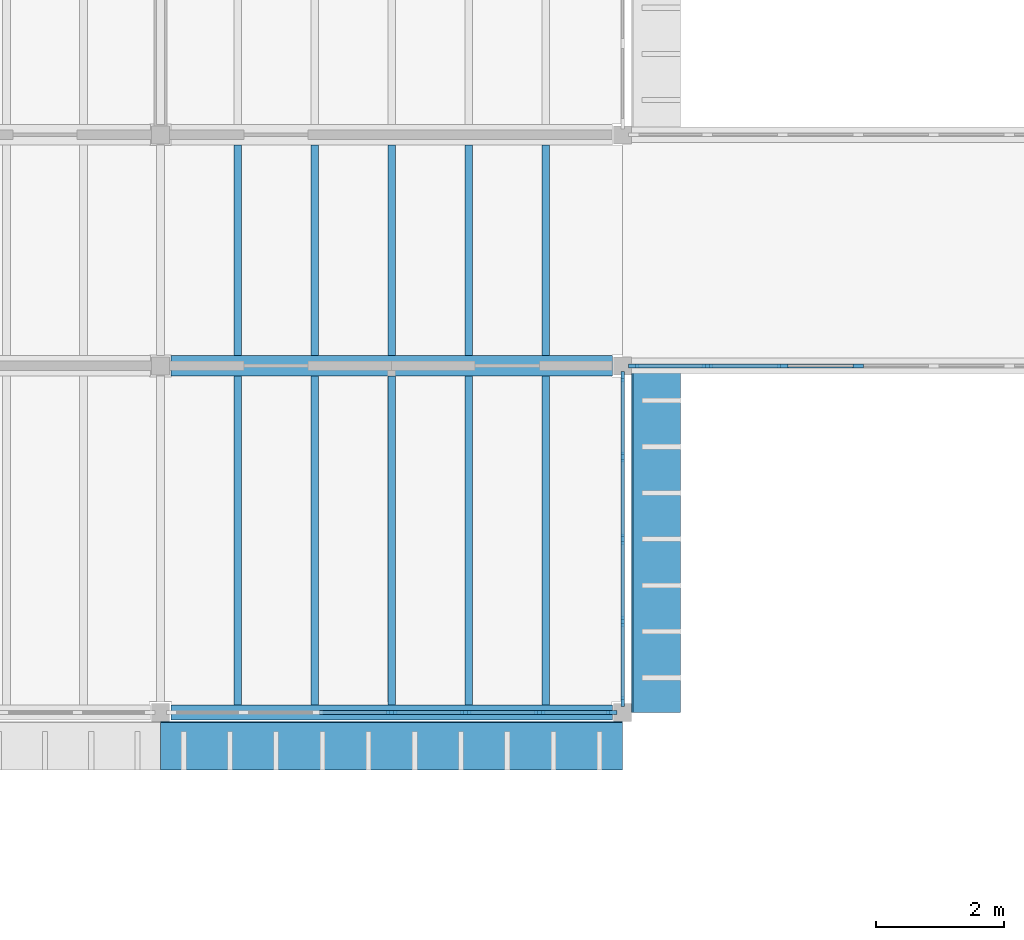
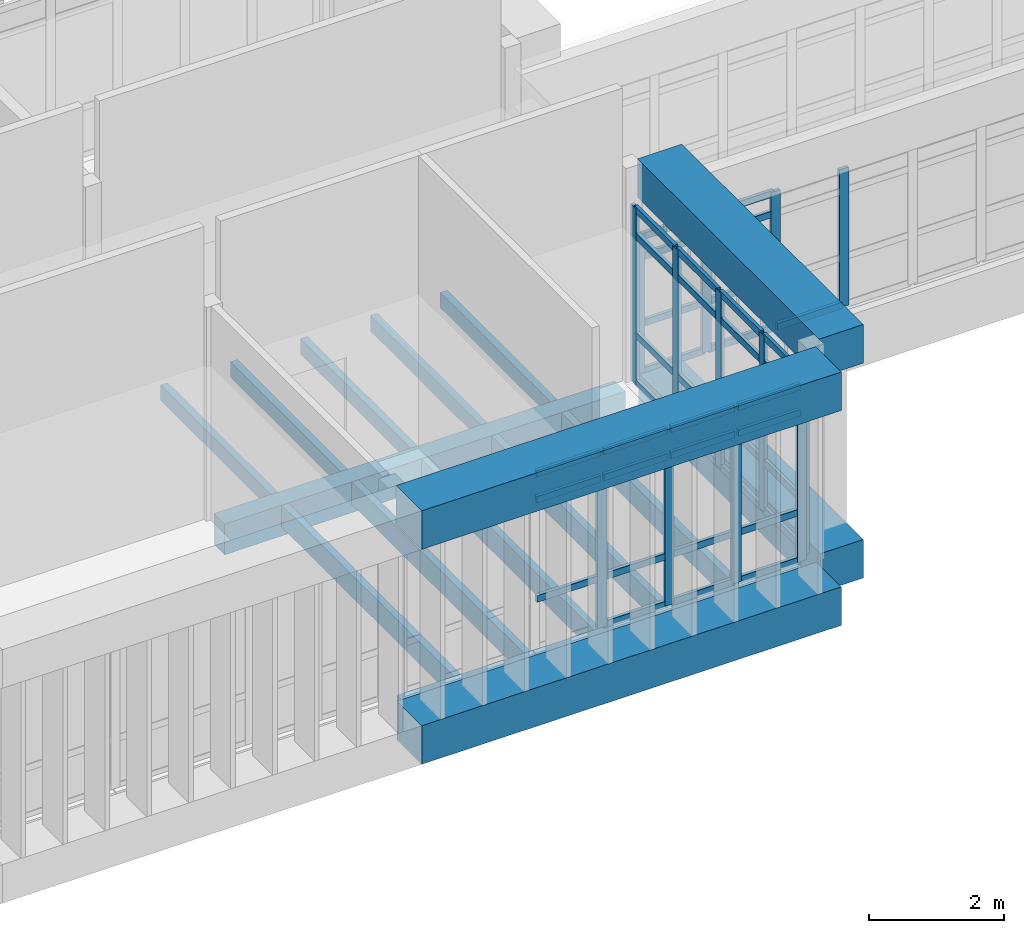
# One storey, part 7 of 51: 57 members, 12 beams, 3 elements without a shape of their own.
"""IFC4 building model written with IfcOpenShell, lengths in metres."""

from ifc_helpers import new_model, si_unit, direction, frame, origin, origin_2d, place, context, subcontext, project, spatial, rectangle, extrude, material, layer, layer_set, material_profile, profile_set, type_object, element, aggregate, save


model = new_model("IFC4")

# Units and contexts
model_context = context("Model", 3, precision=1e-05, world=origin(), true_north=direction((0.0, 1.0)))
body_context = subcontext(model_context, "Body", "Model", "MODEL_VIEW")
ifc_project = project(units=[si_unit("LENGTHUNIT", "METRE"), si_unit("AREAUNIT", "SQUARE_METRE"), si_unit("VOLUMEUNIT", "CUBIC_METRE"), si_unit("PLANEANGLEUNIT", "RADIAN"), si_unit("MASSUNIT", "GRAM", prefix="KILO")], contexts=[model_context])

# Site, building, storey
site_placement = place(None, origin())
site = spatial("IfcSite", under=ifc_project, at=site_placement, CompositionType="ELEMENT")
building_placement = place(site_placement, origin())
building = spatial("IfcBuilding", under=site, at=building_placement, Name="Mazhai Court Health Centre", CompositionType="ELEMENT")
storey_placement = place(building_placement, frame((0.0, 0.0, 14.10009765625)))
storey = spatial("IfcBuildingStorey", under=building, at=storey_placement, Name="L03", CompositionType="ELEMENT", Elevation=14.10009765625)

# Curtain wall, members
ifc_material_1 = material(Name="Teak timber frame, glazed", Category="wood")
ifc_layer = layer(ifc_material_1, 0.10009765625)
ifc_layer_set = layer_set([ifc_layer], Name="CURTAIN WALL TIMBER 1200")
curtain_wall_type = type_object("IfcCurtainWallType", Name="CURTAIN WALL TIMBER 1200", PredefinedType="NOTDEFINED", material=ifc_layer_set)
curtain_wall_1_placement = place(storey_placement, origin())
curtain_wall_1 = element("IfcCurtainWall", 1, at=curtain_wall_1_placement, inside=storey, type_object=curtain_wall_type, Name="CW-V4-L03-A2", PredefinedType="NOTDEFINED")
ifc_material_2 = material(Name="Teak timber", Category="wood")
ifc_material_profile_1 = material_profile(ifc_material_2, rectangle(XDim=0.06005859375, YDim=0.159912109375, at=origin_2d()), Name="CW MULLION 60x160")
ifc_profile_set_1 = profile_set([ifc_material_profile_1], Name="Teak timber")
member_type_1 = type_object("IfcMemberType", Name="CW MULLION 60x160", PredefinedType="MULLION", material=ifc_profile_set_1)
member_1_placement = place(storey_placement, frame((92.429931640625, 13.39990234375, 0.0), z_axis=(0.0, 0.0, 1.0), x_axis=(0.0, -1.0, 0.0)))
member_1 = element("IfcMember", 2, at=member_1_placement, type_object=member_type_1, Name="CW mullion 1", PredefinedType="MULLION", context=body_context, shape_type="SweptSolid", body=[
    extrude(rectangle(XDim=0.06005859375, YDim=0.159912109375, at=origin_2d()), origin(), (0.0, 0.0, 1.0), 3.199951171875),
])
member_2_placement = place(storey_placement, frame((91.306640625, 13.39990234375, 0.0), z_axis=(0.0, 0.0, 1.0), x_axis=(0.0, -1.0, 0.0)))
member_2 = element("IfcMember", 3, at=member_2_placement, type_object=member_type_1, Name="CW mullion 2", PredefinedType="MULLION", context=body_context, shape_type="SweptSolid", body=[
    extrude(rectangle(XDim=0.06005859375, YDim=0.159912109375, at=origin_2d()), origin(), (0.0, 0.0, 1.0), 3.199951171875),
])
member_3_placement = place(storey_placement, frame((90.1533203125, 13.39990234375, 0.0), z_axis=(0.0, 0.0, 1.0), x_axis=(0.0, -1.0, 0.0)))
member_3 = element("IfcMember", 4, at=member_3_placement, type_object=member_type_1, Name="CW mullion 3", PredefinedType="MULLION", context=body_context, shape_type="SweptSolid", body=[
    extrude(rectangle(XDim=0.06005859375, YDim=0.159912109375, at=origin_2d()), origin(), (0.0, 0.0, 1.0), 3.199951171875),
])
member_4_placement = place(storey_placement, frame((89.0, 13.39990234375, 0.0), z_axis=(0.0, 0.0, 1.0), x_axis=(0.0, -1.0, 0.0)))
member_4 = element("IfcMember", 5, at=member_4_placement, type_object=member_type_1, Name="CW mullion 4", PredefinedType="MULLION", context=body_context, shape_type="SweptSolid", body=[
    extrude(rectangle(XDim=0.06005859375, YDim=0.159912109375, at=origin_2d()), origin(), (0.0, 0.0, 1.0), 3.199951171875),
])

curtain_wall_2_placement = place(storey_placement, origin())
curtain_wall_2 = element("IfcCurtainWall", 6, at=curtain_wall_2_placement, inside=storey, type_object=curtain_wall_type, Name="CW-V4-L03-CE2-0", PredefinedType="NOTDEFINED")
member_5_placement = place(storey_placement, frame((92.60009765625, 18.6298828125, 0.0), z_axis=(0.0, 0.0, 1.0), x_axis=(1.0, 0.0, 0.0)))
member_5 = element("IfcMember", 7, at=member_5_placement, type_object=member_type_1, Name="CW mullion 1", PredefinedType="MULLION", context=body_context, shape_type="SweptSolid", body=[
    extrude(rectangle(XDim=0.06005859375, YDim=0.159912109375, at=origin_2d()), origin(), (0.0, 0.0, 1.0), 3.199951171875),
])
member_6_placement = place(storey_placement, frame((92.60009765625, 17.3798828125, 0.0), z_axis=(0.0, 0.0, 1.0), x_axis=(1.0, 0.0, 0.0)))
member_6 = element("IfcMember", 8, at=member_6_placement, type_object=member_type_1, Name="CW mullion 2", PredefinedType="MULLION", context=body_context, shape_type="SweptSolid", body=[
    extrude(rectangle(XDim=0.06005859375, YDim=0.159912109375, at=origin_2d()), origin(), (0.0, 0.0, 1.0), 3.199951171875),
])
member_7_placement = place(storey_placement, frame((92.60009765625, 16.10009765625, 0.0), z_axis=(0.0, 0.0, 1.0), x_axis=(1.0, 0.0, 0.0)))
member_7 = element("IfcMember", 9, at=member_7_placement, type_object=member_type_1, Name="CW mullion 3", PredefinedType="MULLION", context=body_context, shape_type="SweptSolid", body=[
    extrude(rectangle(XDim=0.06005859375, YDim=0.159912109375, at=origin_2d()), origin(), (0.0, 0.0, 1.0), 3.199951171875),
])
member_8_placement = place(storey_placement, frame((92.60009765625, 14.820068359375, 0.0), z_axis=(0.0, 0.0, 1.0), x_axis=(1.0, 0.0, 0.0)))
member_8 = element("IfcMember", 10, at=member_8_placement, type_object=member_type_1, Name="CW mullion 4", PredefinedType="MULLION", context=body_context, shape_type="SweptSolid", body=[
    extrude(rectangle(XDim=0.06005859375, YDim=0.159912109375, at=origin_2d()), origin(), (0.0, 0.0, 1.0), 3.199951171875),
])
member_9_placement = place(storey_placement, frame((92.60009765625, 13.570068359375, 0.0), z_axis=(0.0, 0.0, 1.0), x_axis=(1.0, 0.0, 0.0)))
member_9 = element("IfcMember", 11, at=member_9_placement, type_object=member_type_1, Name="CW mullion 5", PredefinedType="MULLION", context=body_context, shape_type="SweptSolid", body=[
    extrude(rectangle(XDim=0.06005859375, YDim=0.159912109375, at=origin_2d()), origin(), (0.0, 0.0, 1.0), 3.199951171875),
])

curtain_wall_3_placement = place(storey_placement, origin())
curtain_wall_3 = element("IfcCurtainWall", 12, at=curtain_wall_3_placement, inside=storey, type_object=curtain_wall_type, Name="CW-BR-LC3-S", PredefinedType="NOTDEFINED")
member_10_placement = place(storey_placement, frame((92.77001953125, 18.800048828125, 0.0), z_axis=(0.0, 0.0, 1.0), x_axis=(0.0, 1.0, 0.0)))
member_10 = element("IfcMember", 13, at=member_10_placement, type_object=member_type_1, Name="CW mullion 1", PredefinedType="MULLION", context=body_context, shape_type="SweptSolid", body=[
    extrude(rectangle(XDim=0.06005859375, YDim=0.159912109375, at=origin_2d()), origin(), (0.0, 0.0, 1.0), 2.5048828125),
])
member_11_placement = place(storey_placement, frame((93.916748046875, 18.800048828125, 0.0), z_axis=(0.0, 0.0, 1.0), x_axis=(0.0, 1.0, 0.0)))
member_11 = element("IfcMember", 14, at=member_11_placement, type_object=member_type_1, Name="CW mullion 2", PredefinedType="MULLION", context=body_context, shape_type="SweptSolid", body=[
    extrude(rectangle(XDim=0.06005859375, YDim=0.159912109375, at=origin_2d()), origin(), (0.0, 0.0, 1.0), 2.5048828125),
])
member_12_placement = place(storey_placement, frame((95.09326171875, 18.800048828125, 0.0), z_axis=(0.0, 0.0, 1.0), x_axis=(0.0, 1.0, 0.0)))
member_12 = element("IfcMember", 15, at=member_12_placement, type_object=member_type_1, Name="CW mullion 3", PredefinedType="MULLION", context=body_context, shape_type="SweptSolid", body=[
    extrude(rectangle(XDim=0.06005859375, YDim=0.159912109375, at=origin_2d()), origin(), (0.0, 0.0, 1.0), 2.5048828125),
])
member_13_placement = place(storey_placement, frame((96.27001953125, 18.800048828125, 0.0), z_axis=(0.0, 0.0, 1.0), x_axis=(0.0, 1.0, 0.0)))
member_13 = element("IfcMember", 16, at=member_13_placement, type_object=member_type_1, Name="CW mullion 4", PredefinedType="MULLION", context=body_context, shape_type="SweptSolid", body=[
    extrude(rectangle(XDim=0.06005859375, YDim=0.159912109375, at=origin_2d()), origin(), (0.0, 0.0, 1.0), 2.5048828125),
])

# Member
ifc_material_3 = material(Name="Teak timber", Category="wood")
ifc_material_profile_2 = material_profile(ifc_material_3, rectangle(XDim=0.06005859375, YDim=0.1201171875, at=origin_2d()), Name="CW TRANSOM 60x120")
ifc_profile_set_2 = profile_set([ifc_material_profile_2], Name="Teak timber")
member_type_2 = type_object("IfcMemberType", Name="CW TRANSOM 60x120", PredefinedType="USERDEFINED", material=ifc_profile_set_2)
member_14_placement = place(storey_placement, frame((92.39990234375, 13.39990234375, 0.02978515625), z_axis=(-1.0, 0.0, 0.0), x_axis=(0.0, -1.0, 0.0)))
member_14 = element("IfcMember", 17, at=member_14_placement, type_object=member_type_2, Name="CW transom 1.1", ObjectType="TRANSOM", PredefinedType="USERDEFINED", context=body_context, shape_type="SweptSolid", body=[
    extrude(rectangle(XDim=0.06005859375, YDim=0.1201171875, at=origin_2d()), origin(), (0.0, 0.0, 1.0), 1.063232421875),
])

member_15_placement = place(storey_placement, frame((92.39990234375, 13.39990234375, 0.89990234375), z_axis=(-1.0, 0.0, 0.0), x_axis=(0.0, -1.0, 0.0)))
member_15 = element("IfcMember", 18, at=member_15_placement, type_object=member_type_2, Name="CW transom 1.2", ObjectType="TRANSOM", PredefinedType="USERDEFINED", context=body_context, shape_type="SweptSolid", body=[
    extrude(rectangle(XDim=0.06005859375, YDim=0.1201171875, at=origin_2d()), origin(), (0.0, 0.0, 1.0), 1.063232421875),
])

member_16_placement = place(storey_placement, frame((92.39990234375, 13.39990234375, 2.699951171875), z_axis=(-1.0, 0.0, 0.0), x_axis=(0.0, -1.0, 0.0)))
member_16 = element("IfcMember", 19, at=member_16_placement, type_object=member_type_2, Name="CW transom 1.3", ObjectType="TRANSOM", PredefinedType="USERDEFINED", context=body_context, shape_type="SweptSolid", body=[
    extrude(rectangle(XDim=0.06005859375, YDim=0.1201171875, at=origin_2d()), origin(), (0.0, 0.0, 1.0), 1.063232421875),
])

member_17_placement = place(storey_placement, frame((92.39990234375, 13.39990234375, 3.169921875), z_axis=(-1.0, 0.0, 0.0), x_axis=(0.0, -1.0, 0.0)))
member_17 = element("IfcMember", 20, at=member_17_placement, type_object=member_type_2, Name="CW transom 1.4", ObjectType="TRANSOM", PredefinedType="USERDEFINED", context=body_context, shape_type="SweptSolid", body=[
    extrude(rectangle(XDim=0.06005859375, YDim=0.1201171875, at=origin_2d()), origin(), (0.0, 0.0, 1.0), 1.063232421875),
])

member_18_placement = place(storey_placement, frame((91.276611328125, 13.39990234375, 0.02978515625), z_axis=(-1.0, 0.0, 0.0), x_axis=(0.0, -1.0, 0.0)))
member_18 = element("IfcMember", 21, at=member_18_placement, type_object=member_type_2, Name="CW transom 2.1", ObjectType="TRANSOM", PredefinedType="USERDEFINED", context=body_context, shape_type="SweptSolid", body=[
    extrude(rectangle(XDim=0.06005859375, YDim=0.1201171875, at=origin_2d()), origin(), (0.0, 0.0, 1.0), 1.09326171875),
])

member_19_placement = place(storey_placement, frame((91.276611328125, 13.39990234375, 0.89990234375), z_axis=(-1.0, 0.0, 0.0), x_axis=(0.0, -1.0, 0.0)))
member_19 = element("IfcMember", 22, at=member_19_placement, type_object=member_type_2, Name="CW transom 2.2", ObjectType="TRANSOM", PredefinedType="USERDEFINED", context=body_context, shape_type="SweptSolid", body=[
    extrude(rectangle(XDim=0.06005859375, YDim=0.1201171875, at=origin_2d()), origin(), (0.0, 0.0, 1.0), 1.09326171875),
])

member_20_placement = place(storey_placement, frame((91.276611328125, 13.39990234375, 2.699951171875), z_axis=(-1.0, 0.0, 0.0), x_axis=(0.0, -1.0, 0.0)))
member_20 = element("IfcMember", 23, at=member_20_placement, type_object=member_type_2, Name="CW transom 2.3", ObjectType="TRANSOM", PredefinedType="USERDEFINED", context=body_context, shape_type="SweptSolid", body=[
    extrude(rectangle(XDim=0.06005859375, YDim=0.1201171875, at=origin_2d()), origin(), (0.0, 0.0, 1.0), 1.09326171875),
])

member_21_placement = place(storey_placement, frame((91.276611328125, 13.39990234375, 3.169921875), z_axis=(-1.0, 0.0, 0.0), x_axis=(0.0, -1.0, 0.0)))
member_21 = element("IfcMember", 24, at=member_21_placement, type_object=member_type_2, Name="CW transom 2.4", ObjectType="TRANSOM", PredefinedType="USERDEFINED", context=body_context, shape_type="SweptSolid", body=[
    extrude(rectangle(XDim=0.06005859375, YDim=0.1201171875, at=origin_2d()), origin(), (0.0, 0.0, 1.0), 1.09326171875),
])

member_22_placement = place(storey_placement, frame((90.123291015625, 13.39990234375, 0.02978515625), z_axis=(-1.0, 0.0, 0.0), x_axis=(0.0, -1.0, 0.0)))
member_22 = element("IfcMember", 25, at=member_22_placement, type_object=member_type_2, Name="CW transom 3.1", ObjectType="TRANSOM", PredefinedType="USERDEFINED", context=body_context, shape_type="SweptSolid", body=[
    extrude(rectangle(XDim=0.06005859375, YDim=0.1201171875, at=origin_2d()), origin(), (0.0, 0.0, 1.0), 1.09326171875),
])

member_23_placement = place(storey_placement, frame((90.123291015625, 13.39990234375, 0.89990234375), z_axis=(-1.0, 0.0, 0.0), x_axis=(0.0, -1.0, 0.0)))
member_23 = element("IfcMember", 26, at=member_23_placement, type_object=member_type_2, Name="CW transom 3.2", ObjectType="TRANSOM", PredefinedType="USERDEFINED", context=body_context, shape_type="SweptSolid", body=[
    extrude(rectangle(XDim=0.06005859375, YDim=0.1201171875, at=origin_2d()), origin(), (0.0, 0.0, 1.0), 1.09326171875),
])

member_24_placement = place(storey_placement, frame((90.123291015625, 13.39990234375, 2.699951171875), z_axis=(-1.0, 0.0, 0.0), x_axis=(0.0, -1.0, 0.0)))
member_24 = element("IfcMember", 27, at=member_24_placement, type_object=member_type_2, Name="CW transom 3.3", ObjectType="TRANSOM", PredefinedType="USERDEFINED", context=body_context, shape_type="SweptSolid", body=[
    extrude(rectangle(XDim=0.06005859375, YDim=0.1201171875, at=origin_2d()), origin(), (0.0, 0.0, 1.0), 1.09326171875),
])

member_25_placement = place(storey_placement, frame((90.123291015625, 13.39990234375, 3.169921875), z_axis=(-1.0, 0.0, 0.0), x_axis=(0.0, -1.0, 0.0)))
member_25 = element("IfcMember", 28, at=member_25_placement, type_object=member_type_2, Name="CW transom 3.4", ObjectType="TRANSOM", PredefinedType="USERDEFINED", context=body_context, shape_type="SweptSolid", body=[
    extrude(rectangle(XDim=0.06005859375, YDim=0.1201171875, at=origin_2d()), origin(), (0.0, 0.0, 1.0), 1.09326171875),
])

member_26_placement = place(storey_placement, frame((88.969970703125, 13.39990234375, 0.89990234375), z_axis=(-1.0, 0.0, 0.0), x_axis=(0.0, -1.0, 0.0)))
member_26 = element("IfcMember", 29, at=member_26_placement, type_object=member_type_2, Name="CW transom 4.2", ObjectType="TRANSOM", PredefinedType="USERDEFINED", context=body_context, shape_type="SweptSolid", body=[
    extrude(rectangle(XDim=0.06005859375, YDim=0.1201171875, at=origin_2d()), origin(), (0.0, 0.0, 1.0), 1.09326171875),
])

member_27_placement = place(storey_placement, frame((88.969970703125, 13.39990234375, 2.699951171875), z_axis=(-1.0, 0.0, 0.0), x_axis=(0.0, -1.0, 0.0)))
member_27 = element("IfcMember", 30, at=member_27_placement, type_object=member_type_2, Name="CW transom 4.3", ObjectType="TRANSOM", PredefinedType="USERDEFINED", context=body_context, shape_type="SweptSolid", body=[
    extrude(rectangle(XDim=0.06005859375, YDim=0.1201171875, at=origin_2d()), origin(), (0.0, 0.0, 1.0), 1.09326171875),
])

member_28_placement = place(storey_placement, frame((88.969970703125, 13.39990234375, 3.169921875), z_axis=(-1.0, 0.0, 0.0), x_axis=(0.0, -1.0, 0.0)))
member_28 = element("IfcMember", 31, at=member_28_placement, type_object=member_type_2, Name="CW transom 4.4", ObjectType="TRANSOM", PredefinedType="USERDEFINED", context=body_context, shape_type="SweptSolid", body=[
    extrude(rectangle(XDim=0.06005859375, YDim=0.1201171875, at=origin_2d()), origin(), (0.0, 0.0, 1.0), 1.09326171875),
])

aggregate(curtain_wall_1, [member_1, member_2, member_3, member_4, member_14, member_15, member_16, member_17, member_18, member_19, member_20, member_21, member_22, member_23, member_24, member_25, member_26, member_27, member_28])

member_29_placement = place(storey_placement, frame((92.60009765625, 18.60009765625, 0.02978515625), z_axis=(0.0, -1.0, 0.0), x_axis=(1.0, 0.0, 0.0)))
member_29 = element("IfcMember", 32, at=member_29_placement, type_object=member_type_2, Name="CW transom 1.1", ObjectType="TRANSOM", PredefinedType="USERDEFINED", context=body_context, shape_type="SweptSolid", body=[
    extrude(rectangle(XDim=0.06005859375, YDim=0.1201171875, at=origin_2d()), origin(), (0.0, 0.0, 1.0), 1.190185546875),
])

member_30_placement = place(storey_placement, frame((92.60009765625, 18.60009765625, 0.89990234375), z_axis=(0.0, -1.0, 0.0), x_axis=(1.0, 0.0, 0.0)))
member_30 = element("IfcMember", 33, at=member_30_placement, type_object=member_type_2, Name="CW transom 1.2", ObjectType="TRANSOM", PredefinedType="USERDEFINED", context=body_context, shape_type="SweptSolid", body=[
    extrude(rectangle(XDim=0.06005859375, YDim=0.1201171875, at=origin_2d()), origin(), (0.0, 0.0, 1.0), 1.190185546875),
])

member_31_placement = place(storey_placement, frame((92.60009765625, 18.60009765625, 2.699951171875), z_axis=(0.0, -1.0, 0.0), x_axis=(1.0, 0.0, 0.0)))
member_31 = element("IfcMember", 34, at=member_31_placement, type_object=member_type_2, Name="CW transom 1.3", ObjectType="TRANSOM", PredefinedType="USERDEFINED", context=body_context, shape_type="SweptSolid", body=[
    extrude(rectangle(XDim=0.06005859375, YDim=0.1201171875, at=origin_2d()), origin(), (0.0, 0.0, 1.0), 1.190185546875),
])

member_32_placement = place(storey_placement, frame((92.60009765625, 18.60009765625, 3.169921875), z_axis=(0.0, -1.0, 0.0), x_axis=(1.0, 0.0, 0.0)))
member_32 = element("IfcMember", 35, at=member_32_placement, type_object=member_type_2, Name="CW transom 1.4", ObjectType="TRANSOM", PredefinedType="USERDEFINED", context=body_context, shape_type="SweptSolid", body=[
    extrude(rectangle(XDim=0.06005859375, YDim=0.1201171875, at=origin_2d()), origin(), (0.0, 0.0, 1.0), 1.190185546875),
])

member_33_placement = place(storey_placement, frame((92.60009765625, 17.35009765625, 0.02978515625), z_axis=(0.0, -1.0, 0.0), x_axis=(1.0, 0.0, 0.0)))
member_33 = element("IfcMember", 36, at=member_33_placement, type_object=member_type_2, Name="CW transom 2.1", ObjectType="TRANSOM", PredefinedType="USERDEFINED", context=body_context, shape_type="SweptSolid", body=[
    extrude(rectangle(XDim=0.06005859375, YDim=0.1201171875, at=origin_2d()), origin(), (0.0, 0.0, 1.0), 1.22021484375),
])

member_34_placement = place(storey_placement, frame((92.60009765625, 17.35009765625, 0.89990234375), z_axis=(0.0, -1.0, 0.0), x_axis=(1.0, 0.0, 0.0)))
member_34 = element("IfcMember", 37, at=member_34_placement, type_object=member_type_2, Name="CW transom 2.2", ObjectType="TRANSOM", PredefinedType="USERDEFINED", context=body_context, shape_type="SweptSolid", body=[
    extrude(rectangle(XDim=0.06005859375, YDim=0.1201171875, at=origin_2d()), origin(), (0.0, 0.0, 1.0), 1.22021484375),
])

member_35_placement = place(storey_placement, frame((92.60009765625, 17.35009765625, 2.699951171875), z_axis=(0.0, -1.0, 0.0), x_axis=(1.0, 0.0, 0.0)))
member_35 = element("IfcMember", 38, at=member_35_placement, type_object=member_type_2, Name="CW transom 2.3", ObjectType="TRANSOM", PredefinedType="USERDEFINED", context=body_context, shape_type="SweptSolid", body=[
    extrude(rectangle(XDim=0.06005859375, YDim=0.1201171875, at=origin_2d()), origin(), (0.0, 0.0, 1.0), 1.22021484375),
])

member_36_placement = place(storey_placement, frame((92.60009765625, 17.35009765625, 3.169921875), z_axis=(0.0, -1.0, 0.0), x_axis=(1.0, 0.0, 0.0)))
member_36 = element("IfcMember", 39, at=member_36_placement, type_object=member_type_2, Name="CW transom 2.4", ObjectType="TRANSOM", PredefinedType="USERDEFINED", context=body_context, shape_type="SweptSolid", body=[
    extrude(rectangle(XDim=0.06005859375, YDim=0.1201171875, at=origin_2d()), origin(), (0.0, 0.0, 1.0), 1.22021484375),
])

member_37_placement = place(storey_placement, frame((92.60009765625, 16.070068359375, 0.02978515625), z_axis=(0.0, -1.0, 0.0), x_axis=(1.0, 0.0, 0.0)))
member_37 = element("IfcMember", 40, at=member_37_placement, type_object=member_type_2, Name="CW transom 3.1", ObjectType="TRANSOM", PredefinedType="USERDEFINED", context=body_context, shape_type="SweptSolid", body=[
    extrude(rectangle(XDim=0.06005859375, YDim=0.1201171875, at=origin_2d()), origin(), (0.0, 0.0, 1.0), 1.219970703125),
])

member_38_placement = place(storey_placement, frame((92.60009765625, 16.070068359375, 0.89990234375), z_axis=(0.0, -1.0, 0.0), x_axis=(1.0, 0.0, 0.0)))
member_38 = element("IfcMember", 41, at=member_38_placement, type_object=member_type_2, Name="CW transom 3.2", ObjectType="TRANSOM", PredefinedType="USERDEFINED", context=body_context, shape_type="SweptSolid", body=[
    extrude(rectangle(XDim=0.06005859375, YDim=0.1201171875, at=origin_2d()), origin(), (0.0, 0.0, 1.0), 1.219970703125),
])

member_39_placement = place(storey_placement, frame((92.60009765625, 16.070068359375, 2.699951171875), z_axis=(0.0, -1.0, 0.0), x_axis=(1.0, 0.0, 0.0)))
member_39 = element("IfcMember", 42, at=member_39_placement, type_object=member_type_2, Name="CW transom 3.3", ObjectType="TRANSOM", PredefinedType="USERDEFINED", context=body_context, shape_type="SweptSolid", body=[
    extrude(rectangle(XDim=0.06005859375, YDim=0.1201171875, at=origin_2d()), origin(), (0.0, 0.0, 1.0), 1.219970703125),
])

member_40_placement = place(storey_placement, frame((92.60009765625, 16.070068359375, 3.169921875), z_axis=(0.0, -1.0, 0.0), x_axis=(1.0, 0.0, 0.0)))
member_40 = element("IfcMember", 43, at=member_40_placement, type_object=member_type_2, Name="CW transom 3.4", ObjectType="TRANSOM", PredefinedType="USERDEFINED", context=body_context, shape_type="SweptSolid", body=[
    extrude(rectangle(XDim=0.06005859375, YDim=0.1201171875, at=origin_2d()), origin(), (0.0, 0.0, 1.0), 1.219970703125),
])

member_41_placement = place(storey_placement, frame((92.60009765625, 14.7900390625, 0.02978515625), z_axis=(0.0, -1.0, 0.0), x_axis=(1.0, 0.0, 0.0)))
member_41 = element("IfcMember", 44, at=member_41_placement, type_object=member_type_2, Name="CW transom 4.1", ObjectType="TRANSOM", PredefinedType="USERDEFINED", context=body_context, shape_type="SweptSolid", body=[
    extrude(rectangle(XDim=0.06005859375, YDim=0.1201171875, at=origin_2d()), origin(), (0.0, 0.0, 1.0), 1.18994140625),
])

member_42_placement = place(storey_placement, frame((92.60009765625, 14.7900390625, 0.89990234375), z_axis=(0.0, -1.0, 0.0), x_axis=(1.0, 0.0, 0.0)))
member_42 = element("IfcMember", 45, at=member_42_placement, type_object=member_type_2, Name="CW transom 4.2", ObjectType="TRANSOM", PredefinedType="USERDEFINED", context=body_context, shape_type="SweptSolid", body=[
    extrude(rectangle(XDim=0.06005859375, YDim=0.1201171875, at=origin_2d()), origin(), (0.0, 0.0, 1.0), 1.18994140625),
])

member_43_placement = place(storey_placement, frame((92.60009765625, 14.7900390625, 2.699951171875), z_axis=(0.0, -1.0, 0.0), x_axis=(1.0, 0.0, 0.0)))
member_43 = element("IfcMember", 46, at=member_43_placement, type_object=member_type_2, Name="CW transom 4.3", ObjectType="TRANSOM", PredefinedType="USERDEFINED", context=body_context, shape_type="SweptSolid", body=[
    extrude(rectangle(XDim=0.06005859375, YDim=0.1201171875, at=origin_2d()), origin(), (0.0, 0.0, 1.0), 1.18994140625),
])

member_44_placement = place(storey_placement, frame((92.60009765625, 14.7900390625, 3.169921875), z_axis=(0.0, -1.0, 0.0), x_axis=(1.0, 0.0, 0.0)))
member_44 = element("IfcMember", 47, at=member_44_placement, type_object=member_type_2, Name="CW transom 4.4", ObjectType="TRANSOM", PredefinedType="USERDEFINED", context=body_context, shape_type="SweptSolid", body=[
    extrude(rectangle(XDim=0.06005859375, YDim=0.1201171875, at=origin_2d()), origin(), (0.0, 0.0, 1.0), 1.18994140625),
])

aggregate(curtain_wall_2, [member_5, member_6, member_7, member_8, member_9, member_29, member_30, member_31, member_32, member_33, member_34, member_35, member_36, member_37, member_38, member_39, member_40, member_41, member_42, member_43, member_44])

member_45_placement = place(storey_placement, frame((92.800048828125, 18.800048828125, 0.02978515625), z_axis=(1.0, 0.0, 0.0), x_axis=(0.0, 1.0, 0.0)))
member_45 = element("IfcMember", 48, at=member_45_placement, type_object=member_type_2, Name="CW transom 1.1", ObjectType="TRANSOM", PredefinedType="USERDEFINED", context=body_context, shape_type="SweptSolid", body=[
    extrude(rectangle(XDim=0.06005859375, YDim=0.1201171875, at=origin_2d()), origin(), (0.0, 0.0, 1.0), 1.086669921875),
])

member_46_placement = place(storey_placement, frame((92.800048828125, 18.800048828125, 0.89990234375), z_axis=(1.0, 0.0, 0.0), x_axis=(0.0, 1.0, 0.0)))
member_46 = element("IfcMember", 49, at=member_46_placement, type_object=member_type_2, Name="CW transom 1.2", ObjectType="TRANSOM", PredefinedType="USERDEFINED", context=body_context, shape_type="SweptSolid", body=[
    extrude(rectangle(XDim=0.06005859375, YDim=0.1201171875, at=origin_2d()), origin(), (0.0, 0.0, 1.0), 1.086669921875),
])

member_47_placement = place(storey_placement, frame((92.800048828125, 18.800048828125, 2.10498046875), z_axis=(1.0, 0.0, 0.0), x_axis=(0.0, 1.0, 0.0)))
member_47 = element("IfcMember", 50, at=member_47_placement, type_object=member_type_2, Name="CW transom 1.3", ObjectType="TRANSOM", PredefinedType="USERDEFINED", context=body_context, shape_type="SweptSolid", body=[
    extrude(rectangle(XDim=0.06005859375, YDim=0.1201171875, at=origin_2d()), origin(), (0.0, 0.0, 1.0), 1.086669921875),
])

member_48_placement = place(storey_placement, frame((92.800048828125, 18.800048828125, 2.474853515625), z_axis=(1.0, 0.0, 0.0), x_axis=(0.0, 1.0, 0.0)))
member_48 = element("IfcMember", 51, at=member_48_placement, type_object=member_type_2, Name="CW transom 1.4", ObjectType="TRANSOM", PredefinedType="USERDEFINED", context=body_context, shape_type="SweptSolid", body=[
    extrude(rectangle(XDim=0.06005859375, YDim=0.1201171875, at=origin_2d()), origin(), (0.0, 0.0, 1.0), 1.086669921875),
])

member_49_placement = place(storey_placement, frame((93.94677734375, 18.800048828125, 0.02978515625), z_axis=(1.0, 0.0, 0.0), x_axis=(0.0, 1.0, 0.0)))
member_49 = element("IfcMember", 52, at=member_49_placement, type_object=member_type_2, Name="CW transom 2.1", ObjectType="TRANSOM", PredefinedType="USERDEFINED", context=body_context, shape_type="SweptSolid", body=[
    extrude(rectangle(XDim=0.06005859375, YDim=0.1201171875, at=origin_2d()), origin(), (0.0, 0.0, 1.0), 1.116455078125),
])

member_50_placement = place(storey_placement, frame((93.94677734375, 18.800048828125, 0.89990234375), z_axis=(1.0, 0.0, 0.0), x_axis=(0.0, 1.0, 0.0)))
member_50 = element("IfcMember", 53, at=member_50_placement, type_object=member_type_2, Name="CW transom 2.2", ObjectType="TRANSOM", PredefinedType="USERDEFINED", context=body_context, shape_type="SweptSolid", body=[
    extrude(rectangle(XDim=0.06005859375, YDim=0.1201171875, at=origin_2d()), origin(), (0.0, 0.0, 1.0), 1.116455078125),
])

member_51_placement = place(storey_placement, frame((93.94677734375, 18.800048828125, 2.10498046875), z_axis=(1.0, 0.0, 0.0), x_axis=(0.0, 1.0, 0.0)))
member_51 = element("IfcMember", 54, at=member_51_placement, type_object=member_type_2, Name="CW transom 2.3", ObjectType="TRANSOM", PredefinedType="USERDEFINED", context=body_context, shape_type="SweptSolid", body=[
    extrude(rectangle(XDim=0.06005859375, YDim=0.1201171875, at=origin_2d()), origin(), (0.0, 0.0, 1.0), 1.116455078125),
])

member_52_placement = place(storey_placement, frame((93.94677734375, 18.800048828125, 2.474853515625), z_axis=(1.0, 0.0, 0.0), x_axis=(0.0, 1.0, 0.0)))
member_52 = element("IfcMember", 55, at=member_52_placement, type_object=member_type_2, Name="CW transom 2.4", ObjectType="TRANSOM", PredefinedType="USERDEFINED", context=body_context, shape_type="SweptSolid", body=[
    extrude(rectangle(XDim=0.06005859375, YDim=0.1201171875, at=origin_2d()), origin(), (0.0, 0.0, 1.0), 1.116455078125),
])

member_53_placement = place(storey_placement, frame((95.123291015625, 18.800048828125, 0.02978515625), z_axis=(1.0, 0.0, 0.0), x_axis=(0.0, 1.0, 0.0)))
member_53 = element("IfcMember", 56, at=member_53_placement, type_object=member_type_2, Name="CW transom 3.1", ObjectType="TRANSOM", PredefinedType="USERDEFINED", context=body_context, shape_type="SweptSolid", body=[
    extrude(rectangle(XDim=0.06005859375, YDim=0.1201171875, at=origin_2d()), origin(), (0.0, 0.0, 1.0), 1.11669921875),
])

aggregate(curtain_wall_3, [member_10, member_11, member_12, member_13, member_45, member_46, member_47, member_48, member_49, member_50, member_51, member_52, member_53])

# Members
ifc_material_4 = material(Name="Glulam GL24h", Category="wood")
ifc_material_profile_3 = material_profile(ifc_material_4, rectangle(XDim=0.739990234375, YDim=0.699951171875, at=origin_2d()), Name="FIN RAIL 740x700")
ifc_profile_set_3 = profile_set([ifc_material_profile_3], Name="Glulam GL24h")
member_type_3 = type_object("IfcMemberType", Name="FIN RAIL 740x700", PredefinedType="USERDEFINED", material=ifc_profile_set_3)
member_54_placement = place(storey_placement, frame((92.60009765625, 12.8701171875, -0.35009765625), z_axis=(-1.0, 0.0, 0.0), x_axis=(0.0, -1.0, 0.0)))
element("IfcMember", 57, at=member_54_placement, inside=storey, type_object=member_type_3, Name="FR-V4-A2-L03", ObjectType="FIN RAIL", PredefinedType="USERDEFINED", context=body_context, shape_type="SweptSolid", body=[
    extrude(rectangle(XDim=0.739990234375, YDim=0.699951171875, at=origin_2d()), origin(), (0.0, 0.0, 1.0), 7.2001953125),
])
member_55_placement = place(storey_placement, frame((93.1298828125, 18.800048828125, -0.35009765625), z_axis=(0.0, -1.0, 0.0), x_axis=(1.0, 0.0, 0.0)))
element("IfcMember", 58, at=member_55_placement, inside=storey, type_object=member_type_3, Name="FR-V4-CE2-0-L03", ObjectType="FIN RAIL", PredefinedType="USERDEFINED", context=body_context, shape_type="SweptSolid", body=[
    extrude(rectangle(XDim=0.739990234375, YDim=0.699951171875, at=origin_2d()), origin(), (0.0, 0.0, 1.0), 5.400146484375),
])
ifc_material_5 = material(Name="Glulam GL24h", Category="wood")
ifc_material_profile_4 = material_profile(ifc_material_5, rectangle(XDim=0.760009765625, YDim=0.699951171875, at=origin_2d()), Name="FIN RAIL 760x700")
ifc_profile_set_4 = profile_set([ifc_material_profile_4], Name="Glulam GL24h")
member_type_4 = type_object("IfcMemberType", Name="FIN RAIL 760x700", PredefinedType="USERDEFINED", material=ifc_profile_set_4)
member_56_placement = place(storey_placement, frame((92.60009765625, 12.8798828125, 3.5498046875), z_axis=(-1.0, 0.0, 0.0), x_axis=(0.0, -1.0, 0.0)))
element("IfcMember", 59, at=member_56_placement, inside=storey, type_object=member_type_4, Name="FR-V4-A2-RF", ObjectType="FIN RAIL", PredefinedType="USERDEFINED", context=body_context, shape_type="SweptSolid", body=[
    extrude(rectangle(XDim=0.760009765625, YDim=0.699951171875, at=origin_2d()), origin(), (0.0, 0.0, 1.0), 7.2001953125),
])
member_57_placement = place(storey_placement, frame((93.1201171875, 18.800048828125, 3.5498046875), z_axis=(0.0, -1.0, 0.0), x_axis=(1.0, 0.0, 0.0)))
element("IfcMember", 60, at=member_57_placement, inside=storey, type_object=member_type_4, Name="FR-V4-CE2-0-RF", ObjectType="FIN RAIL", PredefinedType="USERDEFINED", context=body_context, shape_type="SweptSolid", body=[
    extrude(rectangle(XDim=0.760009765625, YDim=0.699951171875, at=origin_2d()), origin(), (0.0, 0.0, 1.0), 5.400146484375),
])

# Beams
ifc_material_6 = material(Name="Glulam GL24h", Category="wood")
ifc_material_profile_5 = material_profile(ifc_material_6, rectangle(XDim=0.1201171875, YDim=0.280029296875, at=origin_2d()), Name="GL24h 120x280")
ifc_profile_set_5 = profile_set([ifc_material_profile_5], Name="Glulam GL24h")
beam_type_1 = type_object("IfcBeamType", Name="GL24h 120x280 joist", PredefinedType="JOIST", material=ifc_profile_set_5)
for number, where, z_axis, x_axis, name in (
    (61, (86.60009765625, 18.9599609375, -0.260009765625), (0.0, 1.0, 0.0), (-1.0, 0.0, 0.0), "joist-V4-L03-2-B1"),
    (62, (87.800048828125, 18.9599609375, -0.260009765625), (0.0, 1.0, 0.0), (-1.0, 0.0, 0.0), "joist-V4-L03-2-B2"),
    (63, (89.0, 18.9599609375, -0.260009765625), (0.0, 1.0, 0.0), (-1.0, 0.0, 0.0), "joist-V4-L03-2-B3"),
    (64, (90.199951171875, 18.9599609375, -0.260009765625), (0.0, 1.0, 0.0), (-1.0, 0.0, 0.0), "joist-V4-L03-2-B4"),
    (65, (91.39990234375, 18.9599609375, -0.260009765625), (0.0, 1.0, 0.0), (-1.0, 0.0, 0.0), "joist-V4-L03-2-B5"),
):
    element("IfcBeam", number, at=place(storey_placement, frame(where, z_axis=z_axis, x_axis=x_axis)), inside=storey, type_object=beam_type_1, Name=name, PredefinedType="JOIST", context=body_context, shape_type="SweptSolid", body=[
        extrude(rectangle(XDim=0.1201171875, YDim=0.280029296875, at=origin_2d()), origin(), (0.0, 0.0, 1.0), 3.280029296875),
    ])
ifc_material_7 = material(Name="Glulam GL24h", Category="wood")
ifc_material_profile_6 = material_profile(ifc_material_7, rectangle(XDim=0.1201171875, YDim=0.39990234375, at=origin_2d()), Name="GL24h 120x400")
ifc_profile_set_6 = profile_set([ifc_material_profile_6], Name="Glulam GL24h")
beam_type_2 = type_object("IfcBeamType", Name="GL24h 120x400 joist", PredefinedType="JOIST", material=ifc_profile_set_6)
for number, where, z_axis, x_axis, name in (
    (66, (86.60009765625, 13.52001953125, -0.320068359375), (0.0, 1.0, 0.0), (-1.0, 0.0, 0.0), "joist-V4-L03-2-A1"),
    (67, (87.800048828125, 13.52001953125, -0.320068359375), (0.0, 1.0, 0.0), (-1.0, 0.0, 0.0), "joist-V4-L03-2-A2"),
    (68, (89.0, 13.52001953125, -0.320068359375), (0.0, 1.0, 0.0), (-1.0, 0.0, 0.0), "joist-V4-L03-2-A3"),
    (69, (90.199951171875, 13.52001953125, -0.320068359375), (0.0, 1.0, 0.0), (-1.0, 0.0, 0.0), "joist-V4-L03-2-A4"),
    (70, (91.39990234375, 13.52001953125, -0.320068359375), (0.0, 1.0, 0.0), (-1.0, 0.0, 0.0), "joist-V4-L03-2-A5"),
):
    element("IfcBeam", number, at=place(storey_placement, frame(where, z_axis=z_axis, x_axis=x_axis)), inside=storey, type_object=beam_type_2, Name=name, PredefinedType="JOIST", context=body_context, shape_type="SweptSolid", body=[
        extrude(rectangle(XDim=0.1201171875, YDim=0.39990234375, at=origin_2d()), origin(), (0.0, 0.0, 1.0), 5.119873046875),
    ])
ifc_material_8 = material(Name="Glulam GL28h", Category="wood")
ifc_material_profile_7 = material_profile(ifc_material_8, rectangle(XDim=0.239990234375, YDim=0.56005859375, at=origin_2d()), Name="GL28h 240x560")
ifc_profile_set_7 = profile_set([ifc_material_profile_7], Name="Glulam GL28h")
beam_type_3 = type_object("IfcBeamType", Name="GL28h 240x560 beam", PredefinedType="BEAM", material=ifc_profile_set_7)
beam_1_placement = place(storey_placement, frame((85.56005859375, 13.39990234375, -0.400146484375), z_axis=(1.0, 0.0, 0.0), x_axis=(0.0, 1.0, 0.0)))
element("IfcBeam", 71, at=beam_1_placement, inside=storey, type_object=beam_type_3, Name="beam-V4-L03-2-A", PredefinedType="BEAM", context=body_context, shape_type="SweptSolid", body=[
    extrude(rectangle(XDim=0.239990234375, YDim=0.56005859375, at=origin_2d()), origin(), (0.0, 0.0, 1.0), 6.8798828125),
])
ifc_material_9 = material(Name="Glulam GL28h", Category="wood")
ifc_material_profile_8 = material_profile(ifc_material_9, rectangle(XDim=0.320068359375, YDim=0.56005859375, at=origin_2d()), Name="GL28h 320x560")
ifc_profile_set_8 = profile_set([ifc_material_profile_8], Name="Glulam GL28h")
beam_type_4 = type_object("IfcBeamType", Name="GL28h 320x560 beam", PredefinedType="BEAM", material=ifc_profile_set_8)
beam_2_placement = place(storey_placement, frame((85.56005859375, 18.800048828125, -0.400146484375), z_axis=(1.0, 0.0, 0.0), x_axis=(0.0, 1.0, 0.0)))
element("IfcBeam", 72, at=beam_2_placement, inside=storey, type_object=beam_type_4, Name="beam-V4-L03-2-B", PredefinedType="BEAM", context=body_context, shape_type="SweptSolid", body=[
    extrude(rectangle(XDim=0.320068359375, YDim=0.56005859375, at=origin_2d()), origin(), (0.0, 0.0, 1.0), 6.8798828125),
])

save(model, "model.ifc")
